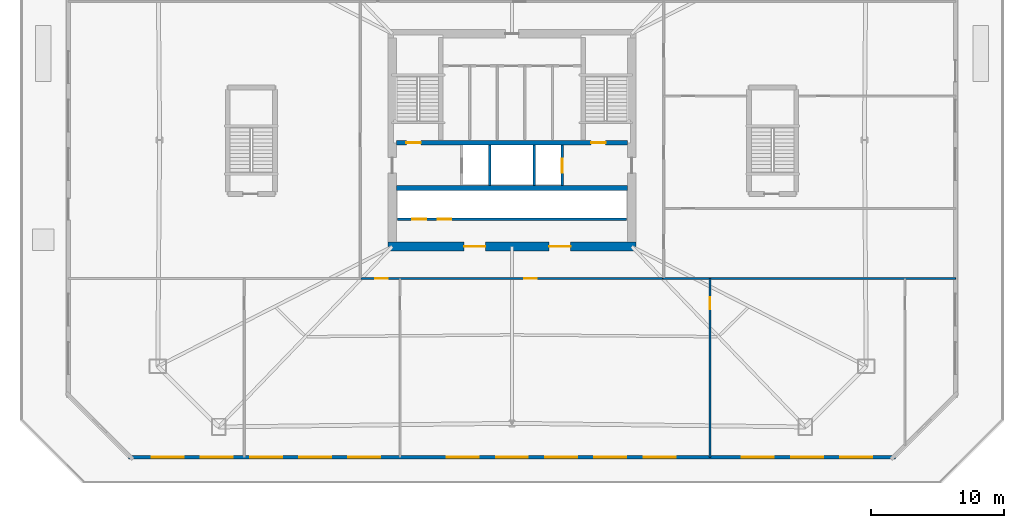
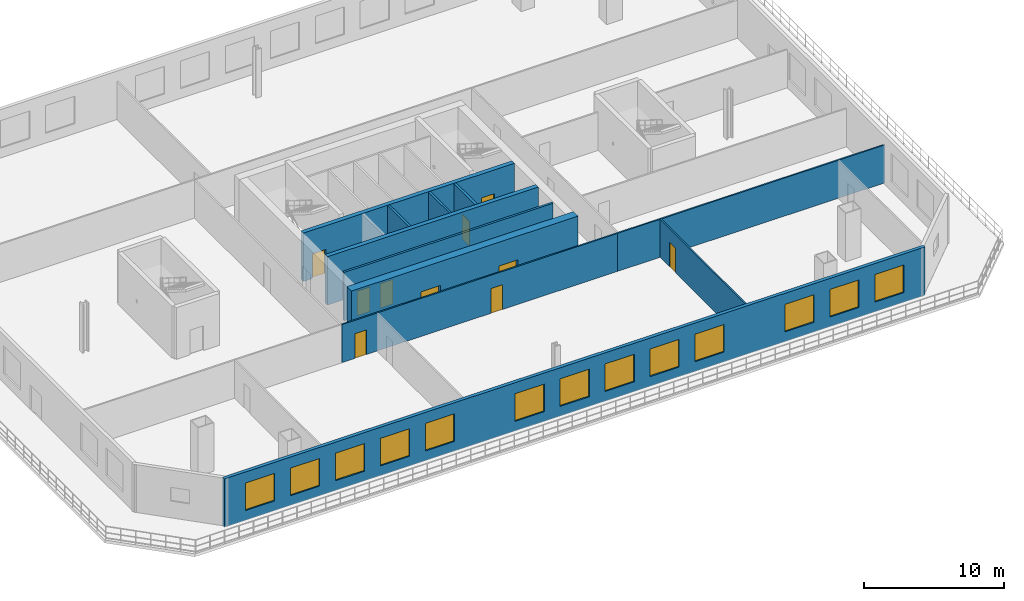
# One storey, part 3 of 10: 13 windows, 11 walls, 10 doors, 23 openings.
"""IFC4 building model written with IfcOpenShell, lengths in metres."""

import ifcopenshell
import ifcopenshell.guid

model = None  # the IFC model being written
_history = None  # IfcOwnerHistory: only IFC2X3 demands one
_inside = {}  # id of a spatial element -> (the spatial element, [elements in it])
_under = {}  # id of a project, library or spatial element -> (it, [spatial elements below it])
_declared = {}  # id of a project -> (the project, [libraries it declares])
_typed = {}  # id of a type object -> (the type object, [elements of that type])
_made_of = {}  # id of a material, layer set ... -> (it, [elements and type objects made of it])


def new_model(schema):
    """Start an empty IFC model of exactly this schema.

    Asked for "IFC4X3", IfcOpenShell would pick the latest addendum, in which some entities
    have other attributes; the version numbers below select the first issue.
    IFC2X3 requires an IfcOwnerHistory on every rooted entity: one is made here for all.
    """
    global model, _history
    if schema == "IFC4X3":
        model = ifcopenshell.file(schema_version=(4, 3, 0, 0))
    else:
        model = ifcopenshell.file(schema=schema)
    _inside.clear()
    _under.clear()
    _declared.clear()
    _typed.clear()
    _made_of.clear()
    _history = None
    if model.schema == "IFC2X3":
        org = make("IfcOrganization", Name="unknown")
        user = make(
            "IfcPersonAndOrganization",
            ThePerson=make("IfcPerson", FamilyName="unknown"),
            TheOrganization=org,
        )
        app = make(
            "IfcApplication",
            ApplicationDeveloper=org,
            Version="unknown",
            ApplicationFullName="unknown",
            ApplicationIdentifier="unknown",
        )
        _history = make(
            "IfcOwnerHistory",
            OwningUser=user,
            OwningApplication=app,
            ChangeAction="ADDED",
            CreationDate=0,
        )
    return model


def make(cls, **values):
    """One entity of the class cls with the attributes given. An attribute that is None is left unset."""
    return model.create_entity(
        cls, **{name: value for name, value in values.items() if value is not None}
    )


def rooted(cls, **values):
    """An entity with a GlobalId (a new one), such as an element, a storey or a relation."""
    return make(cls, GlobalId=ifcopenshell.guid.new(), OwnerHistory=_history, **values)


def si_unit(unit_type, name, prefix=None):
    """IfcSIUnit, for example si_unit("LENGTHUNIT", "METRE", prefix="MILLI")."""
    return make("IfcSIUnit", UnitType=unit_type, Prefix=prefix, Name=name)


def assignment(units):
    """IfcUnitAssignment: the units of a project."""
    return None if units is None else make("IfcUnitAssignment", Units=units)


def point(xyz):
    """IfcCartesianPoint."""
    return None if xyz is None else make("IfcCartesianPoint", Coordinates=xyz)


def direction(xyz):
    """IfcDirection."""
    return None if xyz is None else make("IfcDirection", DirectionRatios=xyz)


def frame(location, z_axis=None, x_axis=None):
    """IfcAxis2Placement3D, a coordinate frame: its origin and axes. An axis left out is left unset."""
    return make(
        "IfcAxis2Placement3D",
        Location=point(location),
        Axis=direction(z_axis),
        RefDirection=direction(x_axis),
    )


def frame_2d(location, x_axis=None):
    """IfcAxis2Placement2D, a coordinate frame in the plane: its origin and x axis."""
    return make(
        "IfcAxis2Placement2D", Location=point(location), RefDirection=direction(x_axis)
    )


def origin():
    """The frame at (0, 0, 0) with its axes left unset."""
    return frame((0.0, 0.0, 0.0))


def place(relative_to, where):
    """IfcLocalPlacement: puts the frame where relative to a parent placement (None: the world)."""
    return make(
        "IfcLocalPlacement", PlacementRelTo=relative_to, RelativePlacement=where
    )


def context(
    kind, dimensions, precision=None, world=None, true_north=None, identifier=None
):
    """IfcGeometricRepresentationContext, for example the 3D "Model" context."""
    return make(
        "IfcGeometricRepresentationContext",
        ContextIdentifier=identifier,
        ContextType=kind,
        CoordinateSpaceDimension=dimensions,
        Precision=precision,
        WorldCoordinateSystem=world,
        TrueNorth=true_north,
    )


def subcontext(parent, identifier, kind, view, scale=None):
    """IfcGeometricRepresentationSubContext, for example "Body" below "Model"."""
    return make(
        "IfcGeometricRepresentationSubContext",
        ContextIdentifier=identifier,
        ContextType=kind,
        ParentContext=parent,
        TargetScale=scale,
        TargetView=view,
    )


def project(units=None, contexts=None):
    """IfcProject with its units and contexts."""
    return rooted(
        "IfcProject",
        Name="project",
        RepresentationContexts=contexts,
        UnitsInContext=assignment(units),
    )


def spatial(cls, under=None, at=None, **own):
    """A site, building, storey or space (cls), placed at a placement, below another one or the project."""
    s = rooted(cls, ObjectPlacement=at, **own)
    if under is not None:
        _under.setdefault(under.id(), (under, []))[1].append(s)
    return s


def profile(cls, at=None, kind="AREA", **sizes):
    """A parametric profile (cls). Its sizes go by their IFC names, for example OverallWidth=200.0."""
    return make(cls, ProfileType=kind, Position=at, **sizes)


def rectangle(**sizes):
    """IfcRectangleProfileDef."""
    return profile("IfcRectangleProfileDef", **sizes)


def extrude(swept, where, along, depth):
    """IfcExtrudedAreaSolid: the profile swept, set in the frame where, extruded along a direction by depth."""
    return make(
        "IfcExtrudedAreaSolid",
        SweptArea=swept,
        Position=where,
        ExtrudedDirection=direction(along),
        Depth=depth,
    )


def shape(context_of_items, identifier, shape_type, items):
    """IfcShapeRepresentation: the items that make up one representation, for example the "Body"."""
    return make(
        "IfcShapeRepresentation",
        ContextOfItems=context_of_items,
        RepresentationIdentifier=identifier,
        RepresentationType=shape_type,
        Items=items,
    )


def material(Name=None, Category=None):
    """IfcMaterial."""
    return make("IfcMaterial", Name=Name, Category=Category)


def layer(
    of_material, thickness, ventilated=None, Name=None, Category=None, Priority=None
):
    """IfcMaterialLayer: one layer of a wall or slab, of a material (None: an air gap)."""
    return make(
        "IfcMaterialLayer",
        Material=of_material,
        LayerThickness=thickness,
        IsVentilated=ventilated,
        Name=Name,
        Category=Category,
        Priority=Priority,
    )


def layer_set(layers, Name=None):
    """IfcMaterialLayerSet."""
    return make("IfcMaterialLayerSet", MaterialLayers=layers, LayerSetName=Name)


def made_of(thing, what):
    """Note that an element or type object is made of a material, layer set ...; save() writes the relation."""
    if what is not None:
        _made_of.setdefault(what.id(), (what, []))[1].append(thing)
    return thing


def type_object(cls, material=None, **own):
    """A type object (cls), such as IfcWallType, which elements share."""
    return made_of(rooted(cls, **own), material)


def element(
    cls,
    number,
    at=None,
    inside=None,
    cuts=None,
    type_object=None,
    material=None,
    context=None,
    identifier="Body",
    shape_type=None,
    held_by="IfcProductDefinitionShape",
    body=None,
    shapes=None,
    **own,
):
    """One element of the class cls, such as IfcWall. Its Tag is "e" and its number.

    at: its placement. inside: the storey or other place that contains it. cuts: it is an
    opening in that element (IfcRelVoidsElement). A single representation is given by context,
    identifier, shape_type and body (its items); several are given by shapes. held_by: the class
    of the entity that holds the representations. save() writes the other relations.
    """
    e = rooted(cls, Tag="e%d" % number, ObjectPlacement=at, **own)
    if body is not None:
        shapes = [shape(context, identifier, shape_type, body)]
    if shapes is not None:
        e.Representation = make(held_by, Representations=shapes)
    if inside is not None:
        _inside.setdefault(inside.id(), (inside, []))[1].append(e)
    if cuts is not None:
        rooted(
            "IfcRelVoidsElement", RelatingBuildingElement=cuts, RelatedOpeningElement=e
        )
    if type_object is not None:
        _typed.setdefault(type_object.id(), (type_object, []))[1].append(e)
    return made_of(e, material)


def fill(opening, filler):
    """IfcRelFillsElement: the door or window that sits in an opening."""
    return rooted(
        "IfcRelFillsElement",
        RelatingOpeningElement=opening,
        RelatedBuildingElement=filler,
    )


def aggregate(whole, parts):
    """IfcRelAggregates: a whole, such as a stair, and the parts it consists of."""
    return rooted("IfcRelAggregates", RelatingObject=whole, RelatedObjects=parts)


def save(model, path):
    """Write the relations noted so far, then the file.

    IfcRelAggregates (storeys below a building ...), IfcRelContainedInSpatialStructure (elements
    in a storey), IfcRelDefinesByType, IfcRelAssociatesMaterial and IfcRelDeclares: one each for
    every whole, place, type object, material and project.
    """
    for whole, parts in _under.values():
        aggregate(whole, parts)
    for where, things in _inside.values():
        rooted(
            "IfcRelContainedInSpatialStructure",
            RelatedElements=things,
            RelatingStructure=where,
        )
    for kind, things in _typed.values():
        rooted("IfcRelDefinesByType", RelatedObjects=things, RelatingType=kind)
    for what, things in _made_of.values():
        rooted("IfcRelAssociatesMaterial", RelatedObjects=things, RelatingMaterial=what)
    for by, libraries in _declared.values():
        rooted("IfcRelDeclares", RelatingContext=by, RelatedDefinitions=libraries)
    model.write(path)


model = new_model("IFC4")

# Units and contexts
model_context = context("Model", 3, precision=1e-05, world=origin(), true_north=direction((0.0, 1.0)))
body_context = subcontext(model_context, "Body", "Model", "MODEL_VIEW")
ifc_project = project(units=[si_unit("LENGTHUNIT", "METRE"), si_unit("AREAUNIT", "SQUARE_METRE"), si_unit("VOLUMEUNIT", "CUBIC_METRE"), si_unit("PLANEANGLEUNIT", "RADIAN"), si_unit("MASSUNIT", "GRAM", prefix="KILO")], contexts=[model_context])

# Site, building, storey
site_placement = place(None, origin())
site = spatial("IfcSite", under=ifc_project, at=site_placement, CompositionType="ELEMENT")
building_placement = place(site_placement, origin())
building = spatial("IfcBuilding", under=site, at=building_placement, Name="Caelvoria Tower", CompositionType="ELEMENT")
storey_placement = place(building_placement, frame((0.0, 0.0, 14.0)))
storey = spatial("IfcBuildingStorey", under=building, at=storey_placement, Name="L03", CompositionType="ELEMENT", Elevation=14.0)

# Wall, openings, doors
ifc_material_1 = material(Name="Concrete C50/60", Category="concrete")
ifc_layer_1 = layer(ifc_material_1, 0.35009765625, Name="Concrete C50/60")
ifc_layer_set_1 = layer_set([ifc_layer_1], Name="Core Internal Shear Wall 350 - Concrete C50/60")
wall_type_1 = type_object("IfcWallType", Name="Core Internal Shear Wall 350", PredefinedType="SHEAR", material=ifc_layer_set_1)
wall_1_placement = place(storey_placement, frame((37.324951171875, 31.800048828125, 0.0), z_axis=(0.0, 0.0, 1.0), x_axis=(1.0, 0.0, 0.0)))
wall_1 = element("IfcWall", 1, at=wall_1_placement, inside=storey, type_object=wall_type_1, Name="Core Shear Wall L03 M1", PredefinedType="SHEAR", context=body_context, shape_type="SweptSolid", body=[
    extrude(rectangle(XDim=17.35009765625, YDim=0.35009765625, at=frame_2d((8.675048828125, 0.0))), origin(), (0.0, 0.0, 1.0), 4.219970703125),
])
opening_1_placement = place(wall_1_placement, frame((0.72509765625, 0.0, 0.0)))
opening_1 = element("IfcOpeningElement", 2, at=opening_1_placement, cuts=wall_1, Name="Opening ID-01", PredefinedType="OPENING", context=body_context, shape_type="SweptSolid", body=[
    extrude(rectangle(XDim=1.10009765625, YDim=2.14990234375, at=frame_2d((0.550048828125, 1.074951171875))), frame((0.0, 0.18505859375, 0.0), z_axis=(0.0, -1.0, 0.0), x_axis=(1.0, 0.0, 0.0)), (0.0, 0.0, 1.0), 0.3701171875),
])
opening_2_placement = place(wall_1_placement, frame((14.625, 0.0, 0.0)))
opening_2 = element("IfcOpeningElement", 3, at=opening_2_placement, cuts=wall_1, Name="Opening ID-01", PredefinedType="OPENING", context=body_context, shape_type="SweptSolid", body=[
    extrude(rectangle(XDim=1.10009765625, YDim=2.14990234375, at=frame_2d((0.550048828125, 1.074951171875))), frame((0.0, 0.18505859375, 0.0), z_axis=(0.0, -1.0, 0.0), x_axis=(1.0, 0.0, 0.0)), (0.0, 0.0, 1.0), 0.3701171875),
])
ifc_material_2 = material(Name="Painted Hollow Steel Fire Door", Category="steel")
door_type_1 = type_object("IfcDoorType", Name="Fire Door FD90S 1100x2150", OperationType="NOTDEFINED", PredefinedType="DOOR", material=ifc_material_2)
door_1_placement = place(opening_1_placement, origin())
door_1 = element("IfcDoor", 4, at=door_1_placement, inside=storey, type_object=door_type_1, Name="Core Door DR-L03-ST1", OperationType="SINGLE_SWING_LEFT", OverallHeight=2.14990234375, OverallWidth=1.10009765625, PredefinedType="DOOR", context=body_context, shape_type="SweptSolid", body=[
    extrude(rectangle(XDim=1.10009765625, YDim=2.14990234375, at=frame_2d((0.550048828125, 1.074951171875))), frame((0.0, 0.02490234375, 0.0), z_axis=(0.0, -1.0, 0.0), x_axis=(1.0, 0.0, 0.0)), (0.0, 0.0, 1.0), 0.050048828125),
])
fill(opening_1, door_1)
door_2_placement = place(opening_2_placement, origin())
door_2 = element("IfcDoor", 5, at=door_2_placement, inside=storey, type_object=door_type_1, Name="Core Door DR-L03-ST2", OperationType="SINGLE_SWING_RIGHT", OverallHeight=2.14990234375, OverallWidth=1.10009765625, PredefinedType="DOOR", context=body_context, shape_type="SweptSolid", body=[
    extrude(rectangle(XDim=1.10009765625, YDim=2.14990234375, at=frame_2d((0.550048828125, 1.074951171875))), frame((0.0, 0.02490234375, 0.0), z_axis=(0.0, -1.0, 0.0), x_axis=(1.0, 0.0, 0.0)), (0.0, 0.0, 1.0), 0.050048828125),
])
fill(opening_2, door_2)

# Wall
wall_2_placement = place(storey_placement, frame((37.324951171875, 28.39990234375, 0.0), z_axis=(0.0, 0.0, 1.0), x_axis=(1.0, 0.0, 0.0)))
element("IfcWall", 6, at=wall_2_placement, inside=storey, type_object=wall_type_1, Name="Core Shear Wall L03 M2", PredefinedType="SHEAR", context=body_context, shape_type="SweptSolid", body=[
    extrude(rectangle(XDim=17.35009765625, YDim=0.35009765625, at=frame_2d((8.675048828125, 0.0))), origin(), (0.0, 0.0, 1.0), 4.219970703125),
])

# Wall, openings, windows
ifc_material_3 = material(Name="Precast Concrete C40/50 with Bronze Cladding", Category="concrete")
ifc_layer_2 = layer(ifc_material_3, 0.280029296875, Name="Precast Concrete C40/50 with Bronze Cladding")
ifc_layer_set_2 = layer_set([ifc_layer_2], Name="Exterior Precast Concrete C40/50 Bronze-Clad Facade Wall 280 - Precast Concrete C40/50 with Bronze Cladding")
wall_type_2 = type_object("IfcWallType", Name="Exterior Precast Concrete C40/50 Bronze-Clad Facade Wall 280", PredefinedType="STANDARD", material=ifc_layer_set_2)
wall_3_placement = place(storey_placement, frame((17.159912109375, 8.139892578125, 0.0), z_axis=(0.0, 0.0, 1.0), x_axis=(1.0, 0.0, 0.0)))
wall_3 = element("IfcWall", 7, at=wall_3_placement, inside=storey, type_object=wall_type_2, Name="Exterior Facade Wall L03-E0", PredefinedType="STANDARD", context=body_context, shape_type="SweptSolid", body=[
    extrude(rectangle(XDim=57.68017578125, YDim=0.280029296875, at=frame_2d((28.840087890625, 0.0))), origin(), (0.0, 0.0, 1.0), 4.2099609375),
])
opening_3_placement = place(wall_3_placement, frame((1.749267578125, 0.0, 0.85009765625)))
opening_3 = element("IfcOpeningElement", 8, at=opening_3_placement, cuts=wall_3, Name="Opening WN-04", PredefinedType="OPENING", context=body_context, shape_type="SweptSolid", body=[
    extrude(rectangle(XDim=2.39990234375, YDim=2.39990234375, at=frame_2d((1.199951171875, 1.199951171875))), frame((0.0, 0.14990234375, 0.0), z_axis=(0.0, -1.0, 0.0), x_axis=(1.0, 0.0, 0.0)), (0.0, 0.0, 1.0), 0.300048828125),
])
opening_4_placement = place(wall_3_placement, frame((5.447998046875, 0.0, 0.85009765625)))
opening_4 = element("IfcOpeningElement", 9, at=opening_4_placement, cuts=wall_3, Name="Opening WN-04", PredefinedType="OPENING", context=body_context, shape_type="SweptSolid", body=[
    extrude(rectangle(XDim=2.39990234375, YDim=2.39990234375, at=frame_2d((1.199951171875, 1.199951171875))), frame((0.0, 0.14990234375, 0.0), z_axis=(0.0, -1.0, 0.0), x_axis=(1.0, 0.0, 0.0)), (0.0, 0.0, 1.0), 0.300048828125),
])
opening_5_placement = place(wall_3_placement, frame((9.146728515625, 0.0, 0.85009765625)))
opening_5 = element("IfcOpeningElement", 10, at=opening_5_placement, cuts=wall_3, Name="Opening WN-04", PredefinedType="OPENING", context=body_context, shape_type="SweptSolid", body=[
    extrude(rectangle(XDim=2.39990234375, YDim=2.39990234375, at=frame_2d((1.199951171875, 1.199951171875))), frame((0.0, 0.14990234375, 0.0), z_axis=(0.0, -1.0, 0.0), x_axis=(1.0, 0.0, 0.0)), (0.0, 0.0, 1.0), 0.300048828125),
])
opening_6_placement = place(wall_3_placement, frame((12.84521484375, 0.0, 0.85009765625)))
opening_6 = element("IfcOpeningElement", 11, at=opening_6_placement, cuts=wall_3, Name="Opening WN-04", PredefinedType="OPENING", context=body_context, shape_type="SweptSolid", body=[
    extrude(rectangle(XDim=2.39990234375, YDim=2.39990234375, at=frame_2d((1.199951171875, 1.199951171875))), frame((0.0, 0.14990234375, 0.0), z_axis=(0.0, -1.0, 0.0), x_axis=(1.0, 0.0, 0.0)), (0.0, 0.0, 1.0), 0.300048828125),
])
opening_7_placement = place(wall_3_placement, frame((16.5439453125, 0.0, 0.85009765625)))
opening_7 = element("IfcOpeningElement", 12, at=opening_7_placement, cuts=wall_3, Name="Opening WN-04", PredefinedType="OPENING", context=body_context, shape_type="SweptSolid", body=[
    extrude(rectangle(XDim=2.39990234375, YDim=2.39990234375, at=frame_2d((1.199951171875, 1.199951171875))), frame((0.0, 0.14990234375, 0.0), z_axis=(0.0, -1.0, 0.0), x_axis=(1.0, 0.0, 0.0)), (0.0, 0.0, 1.0), 0.300048828125),
])
opening_8_placement = place(wall_3_placement, frame((23.94140625, 0.0, 0.85009765625)))
opening_8 = element("IfcOpeningElement", 13, at=opening_8_placement, cuts=wall_3, Name="Opening WN-04", PredefinedType="OPENING", context=body_context, shape_type="SweptSolid", body=[
    extrude(rectangle(XDim=2.39990234375, YDim=2.39990234375, at=frame_2d((1.199951171875, 1.199951171875))), frame((0.0, 0.14990234375, 0.0), z_axis=(0.0, -1.0, 0.0), x_axis=(1.0, 0.0, 0.0)), (0.0, 0.0, 1.0), 0.300048828125),
])
opening_9_placement = place(wall_3_placement, frame((27.639892578125, 0.0, 0.85009765625)))
opening_9 = element("IfcOpeningElement", 14, at=opening_9_placement, cuts=wall_3, Name="Opening WN-04", PredefinedType="OPENING", context=body_context, shape_type="SweptSolid", body=[
    extrude(rectangle(XDim=2.39990234375, YDim=2.39990234375, at=frame_2d((1.199951171875, 1.199951171875))), frame((0.0, 0.14990234375, 0.0), z_axis=(0.0, -1.0, 0.0), x_axis=(1.0, 0.0, 0.0)), (0.0, 0.0, 1.0), 0.300048828125),
])
opening_10_placement = place(wall_3_placement, frame((31.338623046875, 0.0, 0.85009765625)))
opening_10 = element("IfcOpeningElement", 15, at=opening_10_placement, cuts=wall_3, Name="Opening WN-04", PredefinedType="OPENING", context=body_context, shape_type="SweptSolid", body=[
    extrude(rectangle(XDim=2.39990234375, YDim=2.39990234375, at=frame_2d((1.199951171875, 1.199951171875))), frame((0.0, 0.14990234375, 0.0), z_axis=(0.0, -1.0, 0.0), x_axis=(1.0, 0.0, 0.0)), (0.0, 0.0, 1.0), 0.300048828125),
])
opening_11_placement = place(wall_3_placement, frame((35.037353515625, 0.0, 0.85009765625)))
opening_11 = element("IfcOpeningElement", 16, at=opening_11_placement, cuts=wall_3, Name="Opening WN-04", PredefinedType="OPENING", context=body_context, shape_type="SweptSolid", body=[
    extrude(rectangle(XDim=2.39990234375, YDim=2.39990234375, at=frame_2d((1.199951171875, 1.199951171875))), frame((0.0, 0.14990234375, 0.0), z_axis=(0.0, -1.0, 0.0), x_axis=(1.0, 0.0, 0.0)), (0.0, 0.0, 1.0), 0.300048828125),
])
opening_12_placement = place(wall_3_placement, frame((38.736083984375, 0.0, 0.85009765625)))
opening_12 = element("IfcOpeningElement", 17, at=opening_12_placement, cuts=wall_3, Name="Opening WN-04", PredefinedType="OPENING", context=body_context, shape_type="SweptSolid", body=[
    extrude(rectangle(XDim=2.39990234375, YDim=2.39990234375, at=frame_2d((1.199951171875, 1.199951171875))), frame((0.0, 0.14990234375, 0.0), z_axis=(0.0, -1.0, 0.0), x_axis=(1.0, 0.0, 0.0)), (0.0, 0.0, 1.0), 0.300048828125),
])
opening_13_placement = place(wall_3_placement, frame((46.13330078125, 0.0, 0.85009765625)))
opening_13 = element("IfcOpeningElement", 18, at=opening_13_placement, cuts=wall_3, Name="Opening WN-04", PredefinedType="OPENING", context=body_context, shape_type="SweptSolid", body=[
    extrude(rectangle(XDim=2.39990234375, YDim=2.39990234375, at=frame_2d((1.199951171875, 1.199951171875))), frame((0.0, 0.14990234375, 0.0), z_axis=(0.0, -1.0, 0.0), x_axis=(1.0, 0.0, 0.0)), (0.0, 0.0, 1.0), 0.300048828125),
])
opening_14_placement = place(wall_3_placement, frame((49.83203125, 0.0, 0.85009765625)))
opening_14 = element("IfcOpeningElement", 19, at=opening_14_placement, cuts=wall_3, Name="Opening WN-04", PredefinedType="OPENING", context=body_context, shape_type="SweptSolid", body=[
    extrude(rectangle(XDim=2.39990234375, YDim=2.39990234375, at=frame_2d((1.199951171875, 1.199951171875))), frame((0.0, 0.14990234375, 0.0), z_axis=(0.0, -1.0, 0.0), x_axis=(1.0, 0.0, 0.0)), (0.0, 0.0, 1.0), 0.300048828125),
])
opening_15_placement = place(wall_3_placement, frame((53.53076171875, 0.0, 0.85009765625)))
opening_15 = element("IfcOpeningElement", 20, at=opening_15_placement, cuts=wall_3, Name="Opening WN-04", PredefinedType="OPENING", context=body_context, shape_type="SweptSolid", body=[
    extrude(rectangle(XDim=2.39990234375, YDim=2.39990234375, at=frame_2d((1.199951171875, 1.199951171875))), frame((0.0, 0.14990234375, 0.0), z_axis=(0.0, -1.0, 0.0), x_axis=(1.0, 0.0, 0.0)), (0.0, 0.0, 1.0), 0.300048828125),
])
ifc_material_4 = material(Name="Low-E Tinted Glass in Bronze Aluminium Frame", Category="aluminium")
window_type = type_object("IfcWindowType", Name="Podium Commercial Ribbon Window 2400x2400", PartitioningType="SINGLE_PANEL", PredefinedType="WINDOW", material=ifc_material_4)
window_1_placement = place(opening_3_placement, origin())
window_1 = element("IfcWindow", 21, at=window_1_placement, inside=storey, type_object=window_type, Name="Facade Window L03-E0-00", OverallHeight=2.39990234375, OverallWidth=2.39990234375, PartitioningType="SINGLE_PANEL", PredefinedType="WINDOW", context=body_context, shape_type="SweptSolid", body=[
    extrude(rectangle(XDim=2.39990234375, YDim=2.39990234375, at=frame_2d((1.199951171875, 1.199951171875))), frame((0.0, 0.030029296875, 0.0), z_axis=(0.0, -1.0, 0.0), x_axis=(1.0, 0.0, 0.0)), (0.0, 0.0, 1.0), 0.06005859375),
])
fill(opening_3, window_1)
window_2_placement = place(opening_4_placement, origin())
window_2 = element("IfcWindow", 22, at=window_2_placement, inside=storey, type_object=window_type, Name="Facade Window L03-E0-01", OverallHeight=2.39990234375, OverallWidth=2.39990234375, PartitioningType="SINGLE_PANEL", PredefinedType="WINDOW", context=body_context, shape_type="SweptSolid", body=[
    extrude(rectangle(XDim=2.39990234375, YDim=2.39990234375, at=frame_2d((1.199951171875, 1.199951171875))), frame((0.0, 0.030029296875, 0.0), z_axis=(0.0, -1.0, 0.0), x_axis=(1.0, 0.0, 0.0)), (0.0, 0.0, 1.0), 0.06005859375),
])
fill(opening_4, window_2)
window_3_placement = place(opening_5_placement, origin())
window_3 = element("IfcWindow", 23, at=window_3_placement, inside=storey, type_object=window_type, Name="Facade Window L03-E0-02", OverallHeight=2.39990234375, OverallWidth=2.39990234375, PartitioningType="SINGLE_PANEL", PredefinedType="WINDOW", context=body_context, shape_type="SweptSolid", body=[
    extrude(rectangle(XDim=2.39990234375, YDim=2.39990234375, at=frame_2d((1.199951171875, 1.199951171875))), frame((0.0, 0.030029296875, 0.0), z_axis=(0.0, -1.0, 0.0), x_axis=(1.0, 0.0, 0.0)), (0.0, 0.0, 1.0), 0.06005859375),
])
fill(opening_5, window_3)
window_4_placement = place(opening_6_placement, origin())
window_4 = element("IfcWindow", 24, at=window_4_placement, inside=storey, type_object=window_type, Name="Facade Window L03-E0-03", OverallHeight=2.39990234375, OverallWidth=2.39990234375, PartitioningType="SINGLE_PANEL", PredefinedType="WINDOW", context=body_context, shape_type="SweptSolid", body=[
    extrude(rectangle(XDim=2.39990234375, YDim=2.39990234375, at=frame_2d((1.199951171875, 1.199951171875))), frame((0.0, 0.030029296875, 0.0), z_axis=(0.0, -1.0, 0.0), x_axis=(1.0, 0.0, 0.0)), (0.0, 0.0, 1.0), 0.06005859375),
])
fill(opening_6, window_4)
window_5_placement = place(opening_7_placement, origin())
window_5 = element("IfcWindow", 25, at=window_5_placement, inside=storey, type_object=window_type, Name="Facade Window L03-E0-04", OverallHeight=2.39990234375, OverallWidth=2.39990234375, PartitioningType="SINGLE_PANEL", PredefinedType="WINDOW", context=body_context, shape_type="SweptSolid", body=[
    extrude(rectangle(XDim=2.39990234375, YDim=2.39990234375, at=frame_2d((1.199951171875, 1.199951171875))), frame((0.0, 0.030029296875, 0.0), z_axis=(0.0, -1.0, 0.0), x_axis=(1.0, 0.0, 0.0)), (0.0, 0.0, 1.0), 0.06005859375),
])
fill(opening_7, window_5)
window_6_placement = place(opening_8_placement, origin())
window_6 = element("IfcWindow", 26, at=window_6_placement, inside=storey, type_object=window_type, Name="Facade Window L03-E0-06", OverallHeight=2.39990234375, OverallWidth=2.39990234375, PartitioningType="SINGLE_PANEL", PredefinedType="WINDOW", context=body_context, shape_type="SweptSolid", body=[
    extrude(rectangle(XDim=2.39990234375, YDim=2.39990234375, at=frame_2d((1.199951171875, 1.199951171875))), frame((0.0, 0.030029296875, 0.0), z_axis=(0.0, -1.0, 0.0), x_axis=(1.0, 0.0, 0.0)), (0.0, 0.0, 1.0), 0.06005859375),
])
fill(opening_8, window_6)
window_7_placement = place(opening_9_placement, origin())
window_7 = element("IfcWindow", 27, at=window_7_placement, inside=storey, type_object=window_type, Name="Facade Window L03-E0-07", OverallHeight=2.39990234375, OverallWidth=2.39990234375, PartitioningType="SINGLE_PANEL", PredefinedType="WINDOW", context=body_context, shape_type="SweptSolid", body=[
    extrude(rectangle(XDim=2.39990234375, YDim=2.39990234375, at=frame_2d((1.199951171875, 1.199951171875))), frame((0.0, 0.030029296875, 0.0), z_axis=(0.0, -1.0, 0.0), x_axis=(1.0, 0.0, 0.0)), (0.0, 0.0, 1.0), 0.06005859375),
])
fill(opening_9, window_7)
window_8_placement = place(opening_10_placement, origin())
window_8 = element("IfcWindow", 28, at=window_8_placement, inside=storey, type_object=window_type, Name="Facade Window L03-E0-08", OverallHeight=2.39990234375, OverallWidth=2.39990234375, PartitioningType="SINGLE_PANEL", PredefinedType="WINDOW", context=body_context, shape_type="SweptSolid", body=[
    extrude(rectangle(XDim=2.39990234375, YDim=2.39990234375, at=frame_2d((1.199951171875, 1.199951171875))), frame((0.0, 0.030029296875, 0.0), z_axis=(0.0, -1.0, 0.0), x_axis=(1.0, 0.0, 0.0)), (0.0, 0.0, 1.0), 0.06005859375),
])
fill(opening_10, window_8)
window_9_placement = place(opening_11_placement, origin())
window_9 = element("IfcWindow", 29, at=window_9_placement, inside=storey, type_object=window_type, Name="Facade Window L03-E0-09", OverallHeight=2.39990234375, OverallWidth=2.39990234375, PartitioningType="SINGLE_PANEL", PredefinedType="WINDOW", context=body_context, shape_type="SweptSolid", body=[
    extrude(rectangle(XDim=2.39990234375, YDim=2.39990234375, at=frame_2d((1.199951171875, 1.199951171875))), frame((0.0, 0.030029296875, 0.0), z_axis=(0.0, -1.0, 0.0), x_axis=(1.0, 0.0, 0.0)), (0.0, 0.0, 1.0), 0.06005859375),
])
fill(opening_11, window_9)
window_10_placement = place(opening_12_placement, origin())
window_10 = element("IfcWindow", 30, at=window_10_placement, inside=storey, type_object=window_type, Name="Facade Window L03-E0-10", OverallHeight=2.39990234375, OverallWidth=2.39990234375, PartitioningType="SINGLE_PANEL", PredefinedType="WINDOW", context=body_context, shape_type="SweptSolid", body=[
    extrude(rectangle(XDim=2.39990234375, YDim=2.39990234375, at=frame_2d((1.199951171875, 1.199951171875))), frame((0.0, 0.030029296875, 0.0), z_axis=(0.0, -1.0, 0.0), x_axis=(1.0, 0.0, 0.0)), (0.0, 0.0, 1.0), 0.06005859375),
])
fill(opening_12, window_10)
window_11_placement = place(opening_13_placement, origin())
window_11 = element("IfcWindow", 31, at=window_11_placement, inside=storey, type_object=window_type, Name="Facade Window L03-E0-12", OverallHeight=2.39990234375, OverallWidth=2.39990234375, PartitioningType="SINGLE_PANEL", PredefinedType="WINDOW", context=body_context, shape_type="SweptSolid", body=[
    extrude(rectangle(XDim=2.39990234375, YDim=2.39990234375, at=frame_2d((1.199951171875, 1.199951171875))), frame((0.0, 0.030029296875, 0.0), z_axis=(0.0, -1.0, 0.0), x_axis=(1.0, 0.0, 0.0)), (0.0, 0.0, 1.0), 0.06005859375),
])
fill(opening_13, window_11)
window_12_placement = place(opening_14_placement, origin())
window_12 = element("IfcWindow", 32, at=window_12_placement, inside=storey, type_object=window_type, Name="Facade Window L03-E0-13", OverallHeight=2.39990234375, OverallWidth=2.39990234375, PartitioningType="SINGLE_PANEL", PredefinedType="WINDOW", context=body_context, shape_type="SweptSolid", body=[
    extrude(rectangle(XDim=2.39990234375, YDim=2.39990234375, at=frame_2d((1.199951171875, 1.199951171875))), frame((0.0, 0.030029296875, 0.0), z_axis=(0.0, -1.0, 0.0), x_axis=(1.0, 0.0, 0.0)), (0.0, 0.0, 1.0), 0.06005859375),
])
fill(opening_14, window_12)
window_13_placement = place(opening_15_placement, origin())
window_13 = element("IfcWindow", 33, at=window_13_placement, inside=storey, type_object=window_type, Name="Facade Window L03-E0-14", OverallHeight=2.39990234375, OverallWidth=2.39990234375, PartitioningType="SINGLE_PANEL", PredefinedType="WINDOW", context=body_context, shape_type="SweptSolid", body=[
    extrude(rectangle(XDim=2.39990234375, YDim=2.39990234375, at=frame_2d((1.199951171875, 1.199951171875))), frame((0.0, 0.030029296875, 0.0), z_axis=(0.0, -1.0, 0.0), x_axis=(1.0, 0.0, 0.0)), (0.0, 0.0, 1.0), 0.06005859375),
])
fill(opening_15, window_13)

# Walls
ifc_material_5 = material(Name="Concrete Block and Fireboard Assembly", Category="concrete")
ifc_layer_3 = layer(ifc_material_5, 0.179931640625, Name="Concrete Block and Fireboard Assembly")
ifc_layer_set_3 = layer_set([ifc_layer_3], Name="Fire-Rated Hoistway Partition Wall 180 - Concrete Block and Fireboard Assembly")
wall_type_3 = type_object("IfcWallType", Name="Fire-Rated Hoistway Partition Wall 180", PredefinedType="PARTITIONING", material=ifc_layer_set_3)
for number, where, z_axis, x_axis, name in (
    (34, (44.320068359375, 28.580078125, 0.0), (0.0, 0.0, 1.0), (0.0, 1.0, 0.0), "Interior Partition IW-L03-SV1W"),
    (35, (47.679931640625, 28.580078125, 0.0), (0.0, 0.0, 1.0), (0.0, 1.0, 0.0), "Interior Partition IW-L03-SV1E"),
):
    element("IfcWall", number, at=place(storey_placement, frame(where, z_axis=z_axis, x_axis=x_axis)), inside=storey, type_object=wall_type_3, Name=name, PredefinedType="PARTITIONING", context=body_context, shape_type="SweptSolid", body=[
        extrude(rectangle(XDim=3.0400390625, YDim=0.179931640625, at=frame_2d((1.52001953125, 0.0))), origin(), (0.0, 0.0, 1.0), 4.2099609375),
    ])

# Wall, openings, doors
wall_4_placement = place(storey_placement, frame((37.39990234375, 26.050048828125, 0.0), z_axis=(0.0, 0.0, 1.0), x_axis=(1.0, 0.0, 0.0)))
wall_4 = element("IfcWall", 36, at=wall_4_placement, inside=storey, type_object=wall_type_3, Name="Interior Partition IW-L03-LFRONT", PredefinedType="PARTITIONING", context=body_context, shape_type="SweptSolid", body=[
    extrude(rectangle(XDim=17.2001953125, YDim=0.179931640625, at=frame_2d((8.60009765625, 0.0))), origin(), (0.0, 0.0, 1.0), 4.2099609375),
])
opening_16_placement = place(wall_4_placement, frame((1.10009765625, 0.0, 0.0)))
opening_16 = element("IfcOpeningElement", 37, at=opening_16_placement, cuts=wall_4, Name="Opening LD-01", PredefinedType="OPENING", context=body_context, shape_type="SweptSolid", body=[
    extrude(rectangle(XDim=1.050048828125, YDim=2.14990234375, at=frame_2d((0.52490234375, 1.074951171875))), frame((0.0, 0.099853515625, 0.0), z_axis=(0.0, -1.0, 0.0), x_axis=(1.0, 0.0, 0.0)), (0.0, 0.0, 1.0), 0.199951171875),
])
opening_17_placement = place(wall_4_placement, frame((3.0, 0.0, 0.0)))
opening_17 = element("IfcOpeningElement", 38, at=opening_17_placement, cuts=wall_4, Name="Opening LD-01", PredefinedType="OPENING", context=body_context, shape_type="SweptSolid", body=[
    extrude(rectangle(XDim=1.050048828125, YDim=2.14990234375, at=frame_2d((0.52490234375, 1.074951171875))), frame((0.0, 0.099853515625, 0.0), z_axis=(0.0, -1.0, 0.0), x_axis=(1.0, 0.0, 0.0)), (0.0, 0.0, 1.0), 0.199951171875),
])
ifc_material_6 = material(Name="Brushed Bronze Stainless Sliding Landing Door", Category="aluminium")
door_type_2 = type_object("IfcDoorType", Name="Lift Landing Sliding Door 1100x2150", OperationType="NOTDEFINED", PredefinedType="DOOR", material=ifc_material_6)
door_3_placement = place(opening_16_placement, origin())
door_3 = element("IfcDoor", 39, at=door_3_placement, inside=storey, type_object=door_type_2, Name="Interior Door LD-L03-PL1", OperationType="SLIDING_TO_LEFT", OverallHeight=2.14990234375, OverallWidth=1.050048828125, PredefinedType="DOOR", context=body_context, shape_type="SweptSolid", body=[
    extrude(rectangle(XDim=1.050048828125, YDim=2.14990234375, at=frame_2d((0.52490234375, 1.074951171875))), frame((0.0, 0.02490234375, 0.0), z_axis=(0.0, -1.0, 0.0), x_axis=(1.0, 0.0, 0.0)), (0.0, 0.0, 1.0), 0.050048828125),
])
fill(opening_16, door_3)
door_4_placement = place(opening_17_placement, origin())
door_4 = element("IfcDoor", 40, at=door_4_placement, inside=storey, type_object=door_type_2, Name="Interior Door LD-L03-PL2", OperationType="SLIDING_TO_RIGHT", OverallHeight=2.14990234375, OverallWidth=1.050048828125, PredefinedType="DOOR", context=body_context, shape_type="SweptSolid", body=[
    extrude(rectangle(XDim=1.050048828125, YDim=2.14990234375, at=frame_2d((0.52490234375, 1.074951171875))), frame((0.0, 0.02490234375, 0.0), z_axis=(0.0, -1.0, 0.0), x_axis=(1.0, 0.0, 0.0)), (0.0, 0.0, 1.0), 0.050048828125),
])
fill(opening_17, door_4)

# Wall, opening, door
ifc_layer_4 = layer(ifc_material_5, 0.199951171875, Name="Concrete Block and Fireboard Assembly")
ifc_layer_set_4 = layer_set([ifc_layer_4], Name="Fire-Rated Shaft and Core Partition Wall 200 - Concrete Block and Fireboard Assembly")
wall_type_4 = type_object("IfcWallType", Name="Fire-Rated Shaft and Core Partition Wall 200", PredefinedType="PARTITIONING", material=ifc_layer_set_4)
wall_5_placement = place(storey_placement, frame((49.780029296875, 28.580078125, 0.0), z_axis=(0.0, 0.0, 1.0), x_axis=(0.0, 1.0, 0.0)))
wall_5 = element("IfcWall", 41, at=wall_5_placement, inside=storey, type_object=wall_type_4, Name="Interior Partition IW-L03-LF2E", PredefinedType="PARTITIONING", context=body_context, shape_type="SweptSolid", body=[
    extrude(rectangle(XDim=3.0400390625, YDim=0.199951171875, at=frame_2d((1.52001953125, 0.0))), origin(), (0.0, 0.0, 1.0), 4.2099609375),
])
opening_18_placement = place(wall_5_placement, frame((0.949951171875, 0.0, 0.0)))
opening_18 = element("IfcOpeningElement", 42, at=opening_18_placement, cuts=wall_5, Name="Opening LD-01", PredefinedType="OPENING", context=body_context, shape_type="SweptSolid", body=[
    extrude(rectangle(XDim=1.050048828125, YDim=2.14990234375, at=frame_2d((0.52490234375, 1.074951171875))), frame((0.0, 0.10986328125, 0.0), z_axis=(0.0, -1.0, 0.0), x_axis=(1.0, 0.0, 0.0)), (0.0, 0.0, 1.0), 0.219970703125),
])
door_5_placement = place(opening_18_placement, origin())
door_5 = element("IfcDoor", 43, at=door_5_placement, inside=storey, type_object=door_type_2, Name="Interior Door LD-L03-LF2", OperationType="SLIDING_TO_RIGHT", OverallHeight=2.14990234375, OverallWidth=1.050048828125, PredefinedType="DOOR", context=body_context, shape_type="SweptSolid", body=[
    extrude(rectangle(XDim=1.050048828125, YDim=2.14990234375, at=frame_2d((0.52490234375, 1.074951171875))), frame((0.0, 0.02490234375, 0.0), z_axis=(0.0, -1.0, 0.0), x_axis=(1.0, 0.0, 0.0)), (0.0, 0.0, 1.0), 0.050048828125),
])
fill(opening_18, door_5)

# Wall, openings, doors
ifc_material_7 = material(Name="Concrete C60/75", Category="concrete")
ifc_layer_5 = layer(ifc_material_7, 0.64990234375, Name="Concrete C60/75")
ifc_layer_set_5 = layer_set([ifc_layer_5], Name="Lower Core Shear Wall 650 - Concrete C60/75")
wall_type_5 = type_object("IfcWallType", Name="Lower Core Shear Wall 650", PredefinedType="SHEAR", material=ifc_layer_set_5)
wall_6_placement = place(storey_placement, frame((36.675048828125, 24.0, 0.0), z_axis=(0.0, 0.0, 1.0), x_axis=(1.0, 0.0, 0.0)))
wall_6 = element("IfcWall", 44, at=wall_6_placement, inside=storey, type_object=wall_type_5, Name="Core Shear Wall L03 S", PredefinedType="SHEAR", context=body_context, shape_type="SweptSolid", body=[
    extrude(rectangle(XDim=18.64990234375, YDim=0.64990234375, at=frame_2d((9.324951171875, 0.0))), origin(), (0.0, 0.0, 1.0), 4.219970703125),
])
opening_19_placement = place(wall_6_placement, frame((5.72509765625, 0.0, 0.0)))
opening_19 = element("IfcOpeningElement", 45, at=opening_19_placement, cuts=wall_6, Name="Opening ID-08", PredefinedType="OPENING", context=body_context, shape_type="SweptSolid", body=[
    extrude(rectangle(XDim=1.60009765625, YDim=2.14990234375, at=frame_2d((0.800048828125, 1.074951171875))), frame((0.0, 0.3349609375, 0.0), z_axis=(0.0, -1.0, 0.0), x_axis=(1.0, 0.0, 0.0)), (0.0, 0.0, 1.0), 0.669921875),
])
opening_20_placement = place(wall_6_placement, frame((12.125, 0.0, 0.0)))
opening_20 = element("IfcOpeningElement", 46, at=opening_20_placement, cuts=wall_6, Name="Opening ID-08", PredefinedType="OPENING", context=body_context, shape_type="SweptSolid", body=[
    extrude(rectangle(XDim=1.60009765625, YDim=2.14990234375, at=frame_2d((0.800048828125, 1.074951171875))), frame((0.0, 0.3349609375, 0.0), z_axis=(0.0, -1.0, 0.0), x_axis=(1.0, 0.0, 0.0)), (0.0, 0.0, 1.0), 0.669921875),
])
ifc_material_8 = material(Name="Bronze-Framed Fire-Rated Glazed Double Door", Category="aluminium")
door_type_3 = type_object("IfcDoorType", Name="Double Lobby Glazed Door 1600x2200", OperationType="NOTDEFINED", PredefinedType="DOOR", material=ifc_material_8)
door_6_placement = place(opening_19_placement, origin())
door_6 = element("IfcDoor", 47, at=door_6_placement, inside=storey, type_object=door_type_3, Name="Core Door DR-L03-LLOB-S1", OperationType="DOUBLE_DOOR_SINGLE_SWING", OverallHeight=2.14990234375, OverallWidth=1.60009765625, PredefinedType="DOOR", context=body_context, shape_type="SweptSolid", body=[
    extrude(rectangle(XDim=1.60009765625, YDim=2.14990234375, at=frame_2d((0.800048828125, 1.074951171875))), frame((0.0, 0.02490234375, 0.0), z_axis=(0.0, -1.0, 0.0), x_axis=(1.0, 0.0, 0.0)), (0.0, 0.0, 1.0), 0.050048828125),
])
fill(opening_19, door_6)
door_7_placement = place(opening_20_placement, origin())
door_7 = element("IfcDoor", 48, at=door_7_placement, inside=storey, type_object=door_type_3, Name="Core Door DR-L03-LLOB-S2", OperationType="DOUBLE_DOOR_SINGLE_SWING", OverallHeight=2.14990234375, OverallWidth=1.60009765625, PredefinedType="DOOR", context=body_context, shape_type="SweptSolid", body=[
    extrude(rectangle(XDim=1.60009765625, YDim=2.14990234375, at=frame_2d((0.800048828125, 1.074951171875))), frame((0.0, 0.02490234375, 0.0), z_axis=(0.0, -1.0, 0.0), x_axis=(1.0, 0.0, 0.0)), (0.0, 0.0, 1.0), 0.050048828125),
])
fill(opening_20, door_7)

# Wall, opening, door
ifc_material_9 = material(Name="Acoustic Gypsum Board on Light-Gauge Stud", Category="gypsum")
ifc_layer_6 = layer(ifc_material_9, 0.1201171875, Name="Acoustic Gypsum Board on Light-Gauge Stud")
ifc_layer_set_6 = layer_set([ifc_layer_6], Name="Tenant Suite Acoustic Partition Wall 120 - Acoustic Gypsum Board on Light-Gauge Stud")
wall_type_6 = type_object("IfcWallType", Name="Tenant Suite Acoustic Partition Wall 120", PredefinedType="PARTITIONING", material=ifc_layer_set_6)
wall_7_placement = place(storey_placement, frame((60.88720703125, 21.590087890625, 0.0), z_axis=(0.0, 0.0, 1.0), x_axis=(0.0, -1.0, 0.0)))
wall_7 = element("IfcWall", 49, at=wall_7_placement, inside=storey, type_object=wall_type_6, Name="Interior Partition IW-L03-SD-02-0", PredefinedType="PARTITIONING", context=body_context, shape_type="SweptSolid", body=[
    extrude(rectangle(XDim=13.4501953125, YDim=0.1201171875, at=frame_2d((6.72509765625, 0.0))), origin(), (0.0, 0.0, 1.0), 3.31005859375),
])
opening_21_placement = place(wall_7_placement, frame((1.39990234375, 0.0, 0.0)))
opening_21 = element("IfcOpeningElement", 50, at=opening_21_placement, cuts=wall_7, Name="Opening ID-06", PredefinedType="OPENING", context=body_context, shape_type="SweptSolid", body=[
    extrude(rectangle(XDim=0.89990234375, YDim=2.14990234375, at=frame_2d((0.449951171875, 1.074951171875))), frame((0.0, 0.070068359375, 0.0), z_axis=(0.0, -1.0, 0.0), x_axis=(1.0, 0.0, 0.0)), (0.0, 0.0, 1.0), 0.14013671875),
])
ifc_material_10 = material(Name="Engineered Andean Oak Veneer Door", Category="wood")
door_type_4 = type_object("IfcDoorType", Name="Interior Timber Door 900x2150", OperationType="NOTDEFINED", PredefinedType="DOOR", material=ifc_material_10)
door_8_placement = place(opening_21_placement, origin())
door_8 = element("IfcDoor", 51, at=door_8_placement, inside=storey, type_object=door_type_4, Name="Interior Door DR-L03-SM-02-0", OperationType="SINGLE_SWING_RIGHT", OverallHeight=2.14990234375, OverallWidth=0.89990234375, PredefinedType="DOOR", context=body_context, shape_type="SweptSolid", body=[
    extrude(rectangle(XDim=0.89990234375, YDim=2.14990234375, at=frame_2d((0.449951171875, 1.074951171875))), frame((0.0, 0.02490234375, 0.0), z_axis=(0.0, -1.0, 0.0), x_axis=(1.0, 0.0, 0.0)), (0.0, 0.0, 1.0), 0.050048828125),
])
fill(opening_21, door_8)

# Wall, openings, doors
wall_8_placement = place(storey_placement, frame((34.64990234375, 21.590087890625, 0.0), z_axis=(0.0, 0.0, 1.0), x_axis=(1.0, 0.0, 0.0)))
wall_8 = element("IfcWall", 52, at=wall_8_placement, inside=storey, type_object=wall_type_6, Name="Interior Partition IW-L03-SCW-0", PredefinedType="PARTITIONING", context=body_context, shape_type="SweptSolid", body=[
    extrude(rectangle(XDim=22.7001953125, YDim=0.1201171875, at=frame_2d((11.35009765625, 0.0))), origin(), (0.0, 0.0, 1.0), 3.31005859375),
])
opening_22_placement = place(wall_8_placement, frame((1.064208984375, 0.0, 0.0)))
opening_22 = element("IfcOpeningElement", 53, at=opening_22_placement, cuts=wall_8, Name="Opening ID-05", PredefinedType="OPENING", context=body_context, shape_type="SweptSolid", body=[
    extrude(rectangle(XDim=0.949951171875, YDim=2.14990234375, at=frame_2d((0.47509765625, 1.074951171875))), frame((0.0, 0.070068359375, 0.0), z_axis=(0.0, -1.0, 0.0), x_axis=(1.0, 0.0, 0.0)), (0.0, 0.0, 1.0), 0.14013671875),
])
opening_23_placement = place(wall_8_placement, frame((12.274169921875, 0.0, 0.0)))
opening_23 = element("IfcOpeningElement", 54, at=opening_23_placement, cuts=wall_8, Name="Opening ID-05", PredefinedType="OPENING", context=body_context, shape_type="SweptSolid", body=[
    extrude(rectangle(XDim=0.949951171875, YDim=2.14990234375, at=frame_2d((0.47509765625, 1.074951171875))), frame((0.0, 0.070068359375, 0.0), z_axis=(0.0, -1.0, 0.0), x_axis=(1.0, 0.0, 0.0)), (0.0, 0.0, 1.0), 0.14013671875),
])
door_type_5 = type_object("IfcDoorType", Name="Interior Timber Door 950x2150", OperationType="NOTDEFINED", PredefinedType="DOOR", material=ifc_material_10)
door_9_placement = place(opening_22_placement, origin())
door_9 = element("IfcDoor", 55, at=door_9_placement, inside=storey, type_object=door_type_5, Name="Interior Door DR-L03-SC-01-0", OperationType="SINGLE_SWING_LEFT", OverallHeight=2.14990234375, OverallWidth=0.949951171875, PredefinedType="DOOR", context=body_context, shape_type="SweptSolid", body=[
    extrude(rectangle(XDim=0.949951171875, YDim=2.14990234375, at=frame_2d((0.47509765625, 1.074951171875))), frame((0.0, 0.02490234375, 0.0), z_axis=(0.0, -1.0, 0.0), x_axis=(1.0, 0.0, 0.0)), (0.0, 0.0, 1.0), 0.050048828125),
])
fill(opening_22, door_9)
door_10_placement = place(opening_23_placement, origin())
door_10 = element("IfcDoor", 56, at=door_10_placement, inside=storey, type_object=door_type_5, Name="Interior Door DR-L03-SC-02-0", OperationType="SINGLE_SWING_RIGHT", OverallHeight=2.14990234375, OverallWidth=0.949951171875, PredefinedType="DOOR", context=body_context, shape_type="SweptSolid", body=[
    extrude(rectangle(XDim=0.949951171875, YDim=2.14990234375, at=frame_2d((0.47509765625, 1.074951171875))), frame((0.0, 0.02490234375, 0.0), z_axis=(0.0, -1.0, 0.0), x_axis=(1.0, 0.0, 0.0)), (0.0, 0.0, 1.0), 0.050048828125),
])
fill(opening_23, door_10)

# Wall
wall_9_placement = place(storey_placement, frame((57.35009765625, 21.590087890625, 0.0), z_axis=(0.0, 0.0, 1.0), x_axis=(1.0, 0.0, 0.0)))
element("IfcWall", 57, at=wall_9_placement, inside=storey, type_object=wall_type_6, Name="Interior Partition IW-L03-BSE-0", PredefinedType="PARTITIONING", context=body_context, shape_type="SweptSolid", body=[
    extrude(rectangle(XDim=22.010009765625, YDim=0.1201171875, at=frame_2d((11.0048828125, 0.0))), origin(), (0.0, 0.0, 1.0), 3.31005859375),
])

save(model, "model.ifc")
